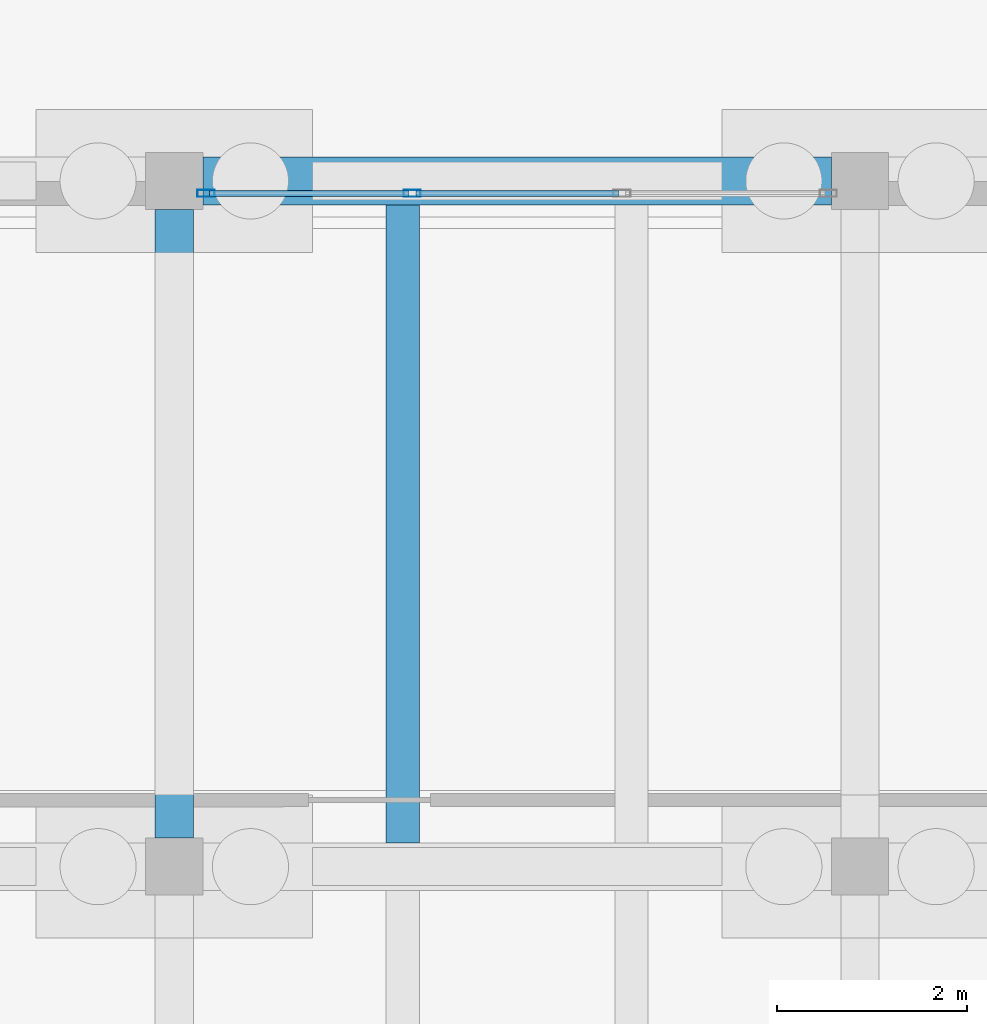
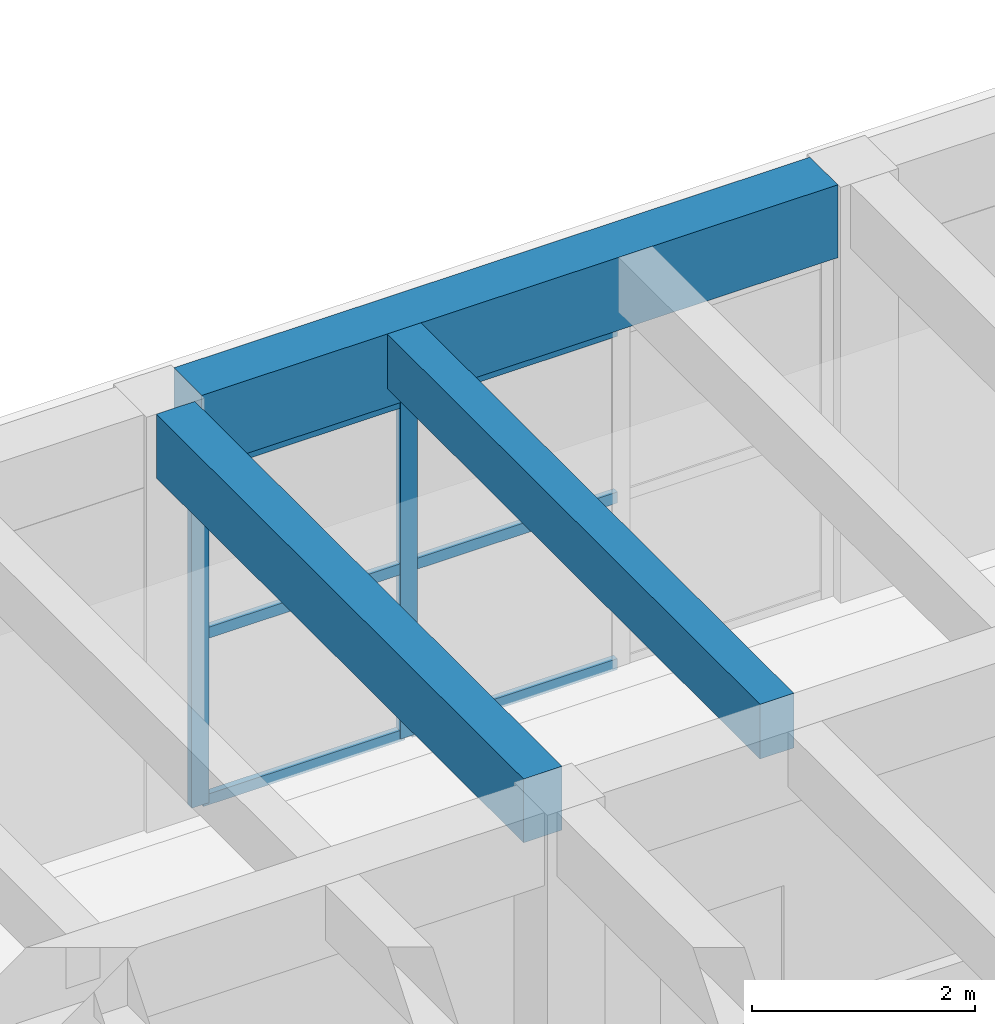
# One storey, part 56 of 155: 8 members, 3 beams, 1 element without a shape of its own.
"""IFC4 building model written with IfcOpenShell, lengths in metres."""

from ifc_helpers import new_model, si_unit, direction, frame, origin, origin_2d, place, context, subcontext, project, spatial, rectangle, hollow_rectangle, extrude, material, material_profile, profile_set, type_object, element, aggregate, save


model = new_model("IFC4")

# Units and contexts
model_context = context("Model", 3, precision=1e-05, world=origin(), true_north=direction((0.0, 1.0)))
body_context = subcontext(model_context, "Body", "Model", "MODEL_VIEW")
ifc_project = project(units=[si_unit("LENGTHUNIT", "METRE"), si_unit("AREAUNIT", "SQUARE_METRE"), si_unit("VOLUMEUNIT", "CUBIC_METRE"), si_unit("PLANEANGLEUNIT", "RADIAN"), si_unit("MASSUNIT", "GRAM", prefix="KILO")], contexts=[model_context])

# Site, building, storey
site_placement = place(None, origin())
site = spatial("IfcSite", under=ifc_project, at=site_placement, CompositionType="ELEMENT")
building_placement = place(site_placement, origin())
building = spatial("IfcBuilding", under=site, at=building_placement, Name="Bramvelor Terrace Health Centre", CompositionType="ELEMENT")
storey_placement = place(building_placement, origin())
storey = spatial("IfcBuildingStorey", under=building, at=storey_placement, Name="L01", CompositionType="ELEMENT", Elevation=0.0)

# Beams
ifc_material_1 = material(Name="Concrete C40/50", Category="concrete")
ifc_material_profile_1 = material_profile(ifc_material_1, rectangle(XDim=0.39990234375, YDim=0.699951171875, at=origin_2d()), Name="RC 400x700")
ifc_profile_set_1 = profile_set([ifc_material_profile_1], Name="Concrete C40/50")
beam_type_1 = type_object("IfcBeamType", Name="BM-RC-G700", PredefinedType="BEAM", material=ifc_profile_set_1)
beam_1_placement = place(storey_placement, frame((122.39990234375, 57.89990234375, 4.2099609375), z_axis=(0.0, 1.0, 0.0), x_axis=(-1.0, 0.0, 0.0)))
element("IfcBeam", 1, at=beam_1_placement, inside=storey, type_object=beam_type_1, Name="L01 Floor Girder", PredefinedType="BEAM", context=body_context, shape_type="SweptSolid", body=[
    extrude(rectangle(XDim=0.39990234375, YDim=0.699951171875, at=origin_2d()), origin(), (0.0, 0.0, 1.0), 6.60009765625),
])
ifc_material_2 = material(Name="Concrete C40/50", Category="concrete")
ifc_material_profile_2 = material_profile(ifc_material_2, rectangle(XDim=0.5, YDim=0.800048828125, at=origin_2d()), Name="RC 500x800")
ifc_profile_set_2 = profile_set([ifc_material_profile_2], Name="Concrete C40/50")
beam_type_2 = type_object("IfcBeamType", Name="BM-RC-G800", PredefinedType="BEAM", material=ifc_profile_set_2)
beam_2_placement = place(storey_placement, frame((122.699951171875, 64.800048828125, 4.159912109375), z_axis=(1.0, 0.0, 0.0), x_axis=(0.0, 1.0, 0.0)))
element("IfcBeam", 2, at=beam_2_placement, inside=storey, type_object=beam_type_2, Name="L01 Floor Girder", PredefinedType="BEAM", context=body_context, shape_type="SweptSolid", body=[
    extrude(rectangle(XDim=0.5, YDim=0.800048828125, at=origin_2d()), origin(), (0.0, 0.0, 1.0), 6.60009765625),
])
ifc_material_3 = material(Name="Concrete C40/50", Category="concrete")
ifc_material_profile_3 = material_profile(ifc_material_3, rectangle(XDim=0.35009765625, YDim=0.60009765625, at=origin_2d()), Name="RC 350x600")
ifc_profile_set_3 = profile_set([ifc_material_profile_3], Name="Concrete C40/50")
beam_type_3 = type_object("IfcBeamType", Name="BM-RC-J600", PredefinedType="JOIST", material=ifc_profile_set_3)
beam_3_placement = place(storey_placement, frame((124.800048828125, 57.85009765625, 4.260009765625), z_axis=(0.0, 1.0, 0.0), x_axis=(-1.0, 0.0, 0.0)))
element("IfcBeam", 3, at=beam_3_placement, inside=storey, type_object=beam_type_3, Name="L01 Secondary Floor Joist", PredefinedType="JOIST", context=body_context, shape_type="SweptSolid", body=[
    extrude(rectangle(XDim=0.35009765625, YDim=0.60009765625, at=origin_2d()), origin(), (0.0, 0.0, 1.0), 6.699951171875),
])

# Curtain wall, members
ifc_material_4 = material(Name="Anodized aluminium and double low-E glass", Category="aluminium")
curtain_wall_type = type_object("IfcCurtainWallType", Name="CW-SYS-02", PredefinedType="NOTDEFINED", material=ifc_material_4)
curtain_wall_placement = place(storey_placement, origin())
curtain_wall = element("IfcCurtainWall", 4, at=curtain_wall_placement, inside=storey, type_object=curtain_wall_type, Name="L01 Unitized Curtain Wall 38", PredefinedType="NOTDEFINED")
ifc_material_5 = material(Name="Anodized aluminium 6063-T6", Category="aluminium")
ifc_material_profile_4 = material_profile(ifc_material_5, hollow_rectangle(XDim=0.074951171875, YDim=0.179931640625, WallThickness=0.00341796875, at=origin_2d()), Name="ALU-MUL 75x180x3.5")
ifc_profile_set_4 = profile_set([ifc_material_profile_4], Name="Anodized aluminium 6063-T6")
member_type_1 = type_object("IfcMemberType", Name="CW-MUL-65x180", PredefinedType="MULLION", material=ifc_profile_set_4)
member_1_placement = place(storey_placement, frame((122.732421875, 64.669921875, 0.0), z_axis=(0.0, 0.0, 1.0), x_axis=(0.0, 1.0, 0.0)))
member_1 = element("IfcMember", 5, at=member_1_placement, type_object=member_type_1, Name="CW-02 mullion 1", PredefinedType="MULLION", context=body_context, shape_type="SweptSolid", body=[
    extrude(hollow_rectangle(XDim=0.074951171875, YDim=0.179931640625, WallThickness=0.00341796875, at=origin_2d()), origin(), (0.0, 0.0, 1.0), 3.719970703125),
])
member_2_placement = place(storey_placement, frame((124.8984375, 64.669921875, 0.0), z_axis=(0.0, 0.0, 1.0), x_axis=(0.0, 1.0, 0.0)))
member_2 = element("IfcMember", 6, at=member_2_placement, type_object=member_type_1, Name="CW-02 mullion 2", PredefinedType="MULLION", context=body_context, shape_type="SweptSolid", body=[
    extrude(hollow_rectangle(XDim=0.074951171875, YDim=0.179931640625, WallThickness=0.00341796875, at=origin_2d()), origin(), (0.0, 0.0, 1.0), 3.719970703125),
])
ifc_material_6 = material(Name="Anodized aluminium 6063-T6", Category="aluminium")
ifc_material_profile_5 = material_profile(ifc_material_6, hollow_rectangle(XDim=0.06494140625, YDim=0.1201171875, WallThickness=0.0029296875, at=origin_2d()), Name="ALU-TRN 65x120x3.0")
ifc_profile_set_5 = profile_set([ifc_material_profile_5], Name="Anodized aluminium 6063-T6")
member_type_2 = type_object("IfcMemberType", Name="CW-TRN-65x150", PredefinedType="USERDEFINED", material=ifc_profile_set_5)
member_3_placement = place(storey_placement, frame((122.77001953125, 64.669921875, 0.032470703125), z_axis=(1.0, 0.0, 0.0), x_axis=(0.0, 1.0, 0.0)))
member_3 = element("IfcMember", 7, at=member_3_placement, type_object=member_type_2, Name="CW-02 transom 1.1", ObjectType="TRANSOM", PredefinedType="USERDEFINED", context=body_context, shape_type="SweptSolid", body=[
    extrude(hollow_rectangle(XDim=0.06494140625, YDim=0.1201171875, WallThickness=0.0029296875, at=origin_2d()), origin(), (0.0, 0.0, 1.0), 2.0908203125),
])
member_4_placement = place(storey_placement, frame((122.77001953125, 64.669921875, 1.860107421875), z_axis=(1.0, 0.0, 0.0), x_axis=(0.0, 1.0, 0.0)))
member_4 = element("IfcMember", 8, at=member_4_placement, type_object=member_type_2, Name="CW-02 transom 1.2", ObjectType="TRANSOM", PredefinedType="USERDEFINED", context=body_context, shape_type="SweptSolid", body=[
    extrude(hollow_rectangle(XDim=0.06494140625, YDim=0.1201171875, WallThickness=0.0029296875, at=origin_2d()), origin(), (0.0, 0.0, 1.0), 2.0908203125),
])
member_5_placement = place(storey_placement, frame((122.77001953125, 64.669921875, 3.6875), z_axis=(1.0, 0.0, 0.0), x_axis=(0.0, 1.0, 0.0)))
member_5 = element("IfcMember", 9, at=member_5_placement, type_object=member_type_2, Name="CW-02 transom 1.3", ObjectType="TRANSOM", PredefinedType="USERDEFINED", context=body_context, shape_type="SweptSolid", body=[
    extrude(hollow_rectangle(XDim=0.06494140625, YDim=0.1201171875, WallThickness=0.0029296875, at=origin_2d()), origin(), (0.0, 0.0, 1.0), 2.0908203125),
])
member_6_placement = place(storey_placement, frame((124.935791015625, 64.669921875, 0.032470703125), z_axis=(1.0, 0.0, 0.0), x_axis=(0.0, 1.0, 0.0)))
member_6 = element("IfcMember", 10, at=member_6_placement, type_object=member_type_2, Name="CW-02 transom 2.1", ObjectType="TRANSOM", PredefinedType="USERDEFINED", context=body_context, shape_type="SweptSolid", body=[
    extrude(hollow_rectangle(XDim=0.06494140625, YDim=0.1201171875, WallThickness=0.0029296875, at=origin_2d()), origin(), (0.0, 0.0, 1.0), 2.12841796875),
])
member_7_placement = place(storey_placement, frame((124.935791015625, 64.669921875, 1.860107421875), z_axis=(1.0, 0.0, 0.0), x_axis=(0.0, 1.0, 0.0)))
member_7 = element("IfcMember", 11, at=member_7_placement, type_object=member_type_2, Name="CW-02 transom 2.2", ObjectType="TRANSOM", PredefinedType="USERDEFINED", context=body_context, shape_type="SweptSolid", body=[
    extrude(hollow_rectangle(XDim=0.06494140625, YDim=0.1201171875, WallThickness=0.0029296875, at=origin_2d()), origin(), (0.0, 0.0, 1.0), 2.12841796875),
])
member_8_placement = place(storey_placement, frame((124.935791015625, 64.669921875, 3.6875), z_axis=(1.0, 0.0, 0.0), x_axis=(0.0, 1.0, 0.0)))
member_8 = element("IfcMember", 12, at=member_8_placement, type_object=member_type_2, Name="CW-02 transom 2.3", ObjectType="TRANSOM", PredefinedType="USERDEFINED", context=body_context, shape_type="SweptSolid", body=[
    extrude(hollow_rectangle(XDim=0.06494140625, YDim=0.1201171875, WallThickness=0.0029296875, at=origin_2d()), origin(), (0.0, 0.0, 1.0), 2.12841796875),
])
aggregate(curtain_wall, [member_1, member_2, member_3, member_4, member_5, member_6, member_7, member_8])

save(model, "model.ifc")
